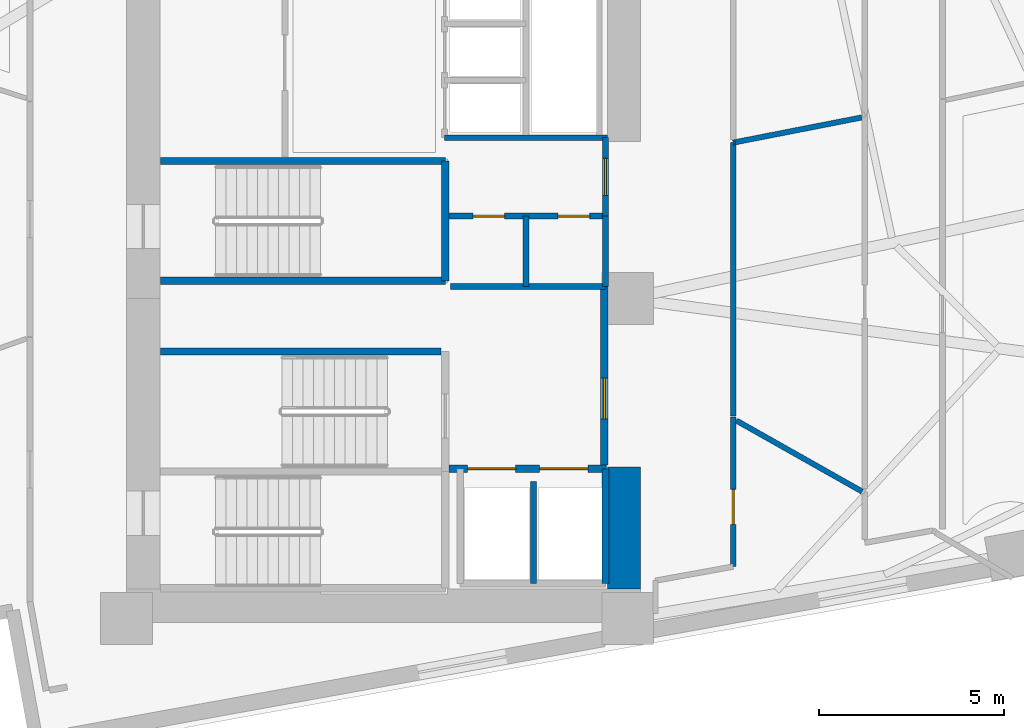
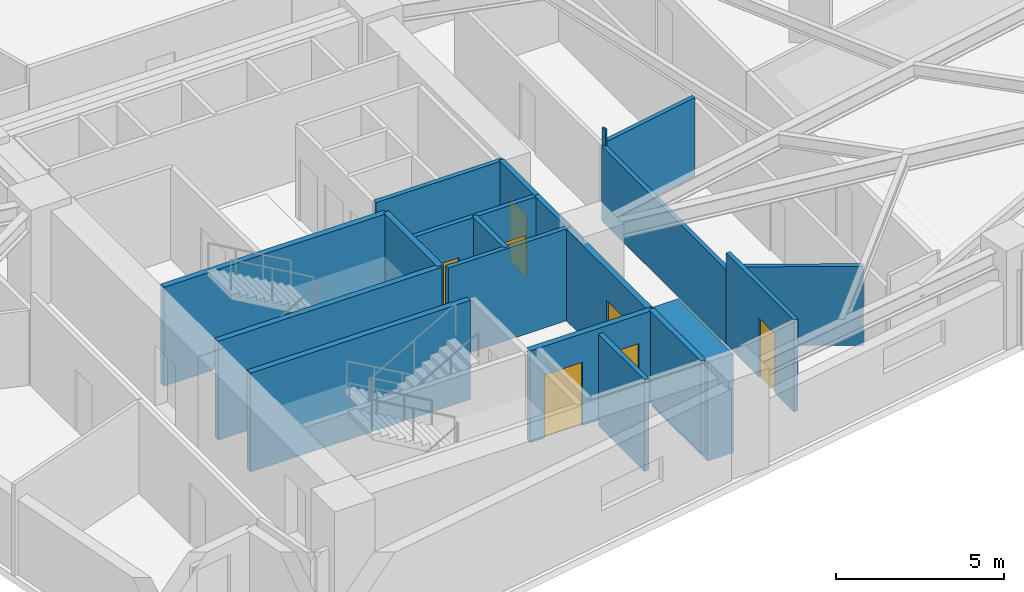
# One storey, part 13 of 18: 20 walls, 7 doors, 7 openings.
"""IFC4 building model written with IfcOpenShell, lengths in metres."""

from ifc_helpers import new_model, si_unit, direction, frame, frame_2d, origin, place, context, subcontext, project, spatial, rectangle, extrude, material, layer, layer_set, type_object, element, fill, save


model = new_model("IFC4")

# Units and contexts
model_context = context("Model", 3, precision=1e-05, world=origin(), true_north=direction((0.0, 1.0)))
body_context = subcontext(model_context, "Body", "Model", "MODEL_VIEW")
ifc_project = project(units=[si_unit("LENGTHUNIT", "METRE"), si_unit("AREAUNIT", "SQUARE_METRE"), si_unit("VOLUMEUNIT", "CUBIC_METRE"), si_unit("PLANEANGLEUNIT", "RADIAN"), si_unit("MASSUNIT", "GRAM", prefix="KILO")], contexts=[model_context])

# Site, building, storey
site_placement = place(None, origin())
site = spatial("IfcSite", under=ifc_project, at=site_placement, CompositionType="ELEMENT")
building_placement = place(site_placement, origin())
building = spatial("IfcBuilding", under=site, at=building_placement, Name="Narakoshi Arena Tower", CompositionType="ELEMENT")
storey_placement = place(building_placement, frame((0.0, 0.0, 110.10009765625)))
storey = spatial("IfcBuildingStorey", under=building, at=storey_placement, Name="L29", CompositionType="ELEMENT", Elevation=110.10009765625)

# Wall
ifc_material_1 = material(Name="Concrete C60/75", Category="concrete")
ifc_layer_1 = layer(ifc_material_1, 0.89990234375)
ifc_layer_set_1 = layer_set([ifc_layer_1], Name="Concrete C60/75")
wall_type_1 = type_object("IfcWallType", Name="WL-CORE-900", PredefinedType="SHEAR", material=ifc_layer_set_1)
wall_1_placement = place(storey_placement, frame((85.449951171875, 35.5, -0.260009765625), z_axis=(0.0, 0.0, 1.0), x_axis=(0.0, 1.0, 0.0)))
element("IfcWall", 1, at=wall_1_placement, inside=storey, type_object=wall_type_1, Name="L29 Central Core Shear Wall CW-APX-E", PredefinedType="SHEAR", context=body_context, shape_type="SweptSolid", body=[
    extrude(rectangle(XDim=3.300048828125, YDim=0.89990234375, at=frame_2d((1.64990234375, 0.0))), origin(), (0.0, 0.0, 1.0), 3.599853515625),
])

# Wall, opening, door
ifc_material_2 = material(Name="Gypsum plasterboard fire-rated partition")
ifc_layer_2 = layer(ifc_material_2, 0.1650390625)
ifc_layer_set_2 = layer_set([ifc_layer_2], Name="Gypsum plasterboard fire-rated partition")
wall_type_2 = type_object("IfcWallType", Name="WL-CORR-165", PredefinedType="PARTITIONING", material=ifc_layer_set_2)
wall_2_placement = place(storey_placement, frame((84.949951171875, 45.580078125, 0.0), z_axis=(0.0, 0.0, 1.0), x_axis=(0.0, 1.0, 0.0)))
wall_2 = element("IfcWall", 2, at=wall_2_placement, inside=storey, type_object=wall_type_2, Name="L29 Core Wall CPAS-E", PredefinedType="PARTITIONING", context=body_context, shape_type="SweptSolid", body=[
    extrude(rectangle(XDim=2.119873046875, YDim=0.1650390625, at=frame_2d((1.06005859375, 0.0))), origin(), (0.0, 0.0, 1.0), 3.33984375),
])
opening_1_placement = place(wall_2_placement, frame((0.56005859375, 0.0, 0.0)))
opening_1 = element("IfcOpeningElement", 3, at=opening_1_placement, cuts=wall_2, Name="Opening D-06", PredefinedType="OPENING", context=body_context, shape_type="SweptSolid", body=[
    extrude(rectangle(XDim=1.0, YDim=2.199951171875, at=frame_2d((0.5, 1.10009765625))), frame((0.0, 0.092529296875, 0.0), z_axis=(0.0, -1.0, 0.0), x_axis=(1.0, 0.0, 0.0)), (0.0, 0.0, 1.0), 0.18505859375),
])
ifc_material_3 = material(Name="Stained oak solid-core timber", Category="wood")
door_type_1 = type_object("IfcDoorType", Name="DR-OFF-1000", OperationType="NOTDEFINED", PredefinedType="DOOR", material=ifc_material_3)
door_1_placement = place(opening_1_placement, frame((1.0, 0.0, 0.0), z_axis=(0.0, 0.0, 1.0), x_axis=(-1.0, 0.0, 0.0)))
door_1 = element("IfcDoor", 4, at=door_1_placement, inside=storey, type_object=door_type_1, Name="DR-L29-007", OperationType="SINGLE_SWING_LEFT", OverallHeight=2.199951171875, OverallWidth=1.0, PredefinedType="DOOR", context=body_context, shape_type="SweptSolid", body=[
    extrude(rectangle(XDim=1.0, YDim=2.199951171875, at=frame_2d((0.5, 1.10009765625))), frame((0.0, 0.02490234375, 0.0), z_axis=(0.0, -1.0, 0.0), x_axis=(1.0, 0.0, 0.0)), (0.0, 0.0, 1.0), 0.050048828125),
])
fill(opening_1, door_1)

# Walls
ifc_material_4 = material(Name="Concrete C40/50", Category="concrete")
ifc_layer_3 = layer(ifc_material_4, 0.280029296875)
ifc_layer_set_3 = layer_set([ifc_layer_3], Name="Concrete C40/50")
wall_type_3 = type_object("IfcWallType", Name="WL-RISER-280", PredefinedType="PLUMBINGWALL", material=ifc_layer_set_3)
wall_3_placement = place(storey_placement, frame((83.0, 35.64990234375, 0.0), z_axis=(0.0, 0.0, 1.0), x_axis=(0.0, 1.0, 0.0)))
element("IfcWall", 5, at=wall_3_placement, inside=storey, type_object=wall_type_3, Name="L29 Core Wall FF-DIV", PredefinedType="PLUMBINGWALL", context=body_context, shape_type="SweptSolid", body=[
    extrude(rectangle(XDim=2.75, YDim=0.159912109375, at=frame_2d((1.375, 0.0))), origin(), (0.0, 0.0, 1.0), 3.33984375),
])
wall_4_placement = place(storey_placement, frame((84.949951171875, 43.679931640625, 0.0), z_axis=(0.0, 0.0, 1.0), x_axis=(0.0, 1.0, 0.0)))
element("IfcWall", 6, at=wall_4_placement, inside=storey, type_object=wall_type_3, Name="L29 Core Wall RSR-E", PredefinedType="PLUMBINGWALL", context=body_context, shape_type="SweptSolid", body=[
    extrude(rectangle(XDim=1.900146484375, YDim=0.1650390625, at=frame_2d((0.9501953125, 0.0))), origin(), (0.0, 0.0, 1.0), 3.33984375),
])

# Wall, openings, doors
wall_5_placement = place(storey_placement, frame((80.719970703125, 45.580078125, 0.0), z_axis=(0.0, 0.0, 1.0), x_axis=(1.0, 0.0, 0.0)))
wall_5 = element("IfcWall", 7, at=wall_5_placement, inside=storey, type_object=wall_type_3, Name="L29 Core Wall RSR-N", PredefinedType="PLUMBINGWALL", context=body_context, shape_type="SweptSolid", body=[
    extrude(rectangle(XDim=4.22998046875, YDim=0.159912109375, at=frame_2d((2.114990234375, 0.0))), origin(), (0.0, 0.0, 1.0), 3.33984375),
])
opening_2_placement = place(wall_5_placement, frame((0.64990234375, 0.0, 0.0)))
opening_2 = element("IfcOpeningElement", 8, at=opening_2_placement, cuts=wall_5, Name="Opening D-10", PredefinedType="OPENING", context=body_context, shape_type="SweptSolid", body=[
    extrude(rectangle(XDim=0.85009765625, YDim=2.050048828125, at=frame_2d((0.425048828125, 1.02490234375))), frame((0.0, 0.08984375, 0.0), z_axis=(0.0, -1.0, 0.0), x_axis=(1.0, 0.0, 0.0)), (0.0, 0.0, 1.0), 0.179931640625),
])
opening_3_placement = place(wall_5_placement, frame((2.949951171875, 0.0, 0.0)))
opening_3 = element("IfcOpeningElement", 9, at=opening_3_placement, cuts=wall_5, Name="Opening D-10", PredefinedType="OPENING", context=body_context, shape_type="SweptSolid", body=[
    extrude(rectangle(XDim=0.85009765625, YDim=2.050048828125, at=frame_2d((0.425048828125, 1.02490234375))), frame((0.0, 0.08984375, 0.0), z_axis=(0.0, -1.0, 0.0), x_axis=(1.0, 0.0, 0.0)), (0.0, 0.0, 1.0), 0.179931640625),
])
ifc_material_5 = material(Name="Painted galvanized steel", Category="steel")
door_type_2 = type_object("IfcDoorType", Name="DR-RSR-850", OperationType="NOTDEFINED", PredefinedType="DOOR", material=ifc_material_5)
door_2_placement = place(opening_2_placement, frame((0.85009765625, 0.0, 0.0), z_axis=(0.0, 0.0, 1.0), x_axis=(-1.0, 0.0, 0.0)))
door_2 = element("IfcDoor", 10, at=door_2_placement, inside=storey, type_object=door_type_2, Name="DR-L29-008", OperationType="SINGLE_SWING_LEFT", OverallHeight=2.050048828125, OverallWidth=0.85009765625, PredefinedType="DOOR", context=body_context, shape_type="SweptSolid", body=[
    extrude(rectangle(XDim=0.85009765625, YDim=2.050048828125, at=frame_2d((0.425048828125, 1.02490234375))), frame((0.0, 0.02490234375, 0.0), z_axis=(0.0, -1.0, 0.0), x_axis=(1.0, 0.0, 0.0)), (0.0, 0.0, 1.0), 0.050048828125),
])
fill(opening_2, door_2)
door_3_placement = place(opening_3_placement, frame((0.85009765625, 0.0, 0.0), z_axis=(0.0, 0.0, 1.0), x_axis=(-1.0, 0.0, 0.0)))
door_3 = element("IfcDoor", 11, at=door_3_placement, inside=storey, type_object=door_type_2, Name="DR-L29-009", OperationType="SINGLE_SWING_RIGHT", OverallHeight=2.050048828125, OverallWidth=0.85009765625, PredefinedType="DOOR", context=body_context, shape_type="SweptSolid", body=[
    extrude(rectangle(XDim=0.85009765625, YDim=2.050048828125, at=frame_2d((0.425048828125, 1.02490234375))), frame((0.0, 0.02490234375, 0.0), z_axis=(0.0, -1.0, 0.0), x_axis=(1.0, 0.0, 0.0)), (0.0, 0.0, 1.0), 0.050048828125),
])
fill(opening_3, door_3)

# Walls
wall_6_placement = place(storey_placement, frame((80.760009765625, 43.679931640625, 0.0), z_axis=(0.0, 0.0, 1.0), x_axis=(1.0, 0.0, 0.0)))
element("IfcWall", 12, at=wall_6_placement, inside=storey, type_object=wall_type_3, Name="L29 Core Wall RSR-S", PredefinedType="PLUMBINGWALL", context=body_context, shape_type="SweptSolid", body=[
    extrude(rectangle(XDim=4.18994140625, YDim=0.159912109375, at=frame_2d((2.094970703125, 0.0))), origin(), (0.0, 0.0, 1.0), 3.33984375),
])
wall_7_placement = place(storey_placement, frame((82.800048828125, 43.679931640625, 0.0), z_axis=(0.0, 0.0, 1.0), x_axis=(0.0, 1.0, 0.0)))
element("IfcWall", 13, at=wall_7_placement, inside=storey, type_object=wall_type_3, Name="L29 Core Wall RSR-M", PredefinedType="PLUMBINGWALL", context=body_context, shape_type="SweptSolid", body=[
    extrude(rectangle(XDim=1.900146484375, YDim=0.159912109375, at=frame_2d((0.9501953125, 0.0))), origin(), (0.0, 0.0, 1.0), 3.33984375),
])

# Wall, openings, doors
ifc_material_6 = material(Name="Concrete C50/60", Category="concrete")
ifc_layer_4 = layer(ifc_material_6, 0.35009765625)
ifc_layer_set_4 = layer_set([ifc_layer_4], Name="Concrete C50/60")
wall_type_4 = type_object("IfcWallType", Name="WL-SHAFT-350", PredefinedType="SOLIDWALL", material=ifc_layer_set_4)
wall_8_placement = place(storey_placement, frame((80.719970703125, 38.75, 0.0), z_axis=(0.0, 0.0, 1.0), x_axis=(1.0, 0.0, 0.0)))
wall_8 = element("IfcWall", 14, at=wall_8_placement, inside=storey, type_object=wall_type_4, Name="L29 Core Wall FF-N", PredefinedType="SOLIDWALL", context=body_context, shape_type="SweptSolid", body=[
    extrude(rectangle(XDim=4.260009765625, YDim=0.199951171875, at=frame_2d((2.1298828125, 0.0))), origin(), (0.0, 0.0, 1.0), 3.33984375),
])
opening_4_placement = place(wall_8_placement, frame((0.5, 0.0, 0.0)))
opening_4 = element("IfcOpeningElement", 15, at=opening_4_placement, cuts=wall_8, Name="Opening LD-02", PredefinedType="OPENING", context=body_context, shape_type="SweptSolid", body=[
    extrude(rectangle(XDim=1.300048828125, YDim=2.300048828125, at=frame_2d((0.64990234375, 1.14990234375))), frame((0.0, 0.10986328125, 0.0), z_axis=(0.0, -1.0, 0.0), x_axis=(1.0, 0.0, 0.0)), (0.0, 0.0, 1.0), 0.219970703125),
])
opening_5_placement = place(wall_8_placement, frame((2.449951171875, 0.0, 0.0)))
opening_5 = element("IfcOpeningElement", 16, at=opening_5_placement, cuts=wall_8, Name="Opening LD-02", PredefinedType="OPENING", context=body_context, shape_type="SweptSolid", body=[
    extrude(rectangle(XDim=1.300048828125, YDim=2.300048828125, at=frame_2d((0.64990234375, 1.14990234375))), frame((0.0, 0.10986328125, 0.0), z_axis=(0.0, -1.0, 0.0), x_axis=(1.0, 0.0, 0.0)), (0.0, 0.0, 1.0), 0.219970703125),
])
ifc_material_7 = material(Name="Brushed bronze stainless steel", Category="steel")
door_type_3 = type_object("IfcDoorType", Name="DR-LFT-1300", OperationType="DOUBLE_DOOR_SLIDING", PredefinedType="DOOR", material=ifc_material_7)
door_4_placement = place(opening_4_placement, origin())
door_4 = element("IfcDoor", 17, at=door_4_placement, inside=storey, type_object=door_type_3, Name="DR-L29-003", OperationType="DOUBLE_DOOR_SLIDING", OverallHeight=2.300048828125, OverallWidth=1.300048828125, PredefinedType="DOOR", context=body_context, shape_type="SweptSolid", body=[
    extrude(rectangle(XDim=1.300048828125, YDim=2.300048828125, at=frame_2d((0.64990234375, 1.14990234375))), frame((0.0, 0.02490234375, 0.0), z_axis=(0.0, -1.0, 0.0), x_axis=(1.0, 0.0, 0.0)), (0.0, 0.0, 1.0), 0.050048828125),
])
fill(opening_4, door_4)
door_5_placement = place(opening_5_placement, origin())
door_5 = element("IfcDoor", 18, at=door_5_placement, inside=storey, type_object=door_type_3, Name="DR-L29-004", OperationType="DOUBLE_DOOR_SLIDING", OverallHeight=2.300048828125, OverallWidth=1.300048828125, PredefinedType="DOOR", context=body_context, shape_type="SweptSolid", body=[
    extrude(rectangle(XDim=1.300048828125, YDim=2.300048828125, at=frame_2d((0.64990234375, 1.14990234375))), frame((0.0, 0.02490234375, 0.0), z_axis=(0.0, -1.0, 0.0), x_axis=(1.0, 0.0, 0.0)), (0.0, 0.0, 1.0), 0.050048828125),
])
fill(opening_5, door_5)

# Wall
wall_9_placement = place(storey_placement, frame((84.949951171875, 35.64990234375, 0.0), z_axis=(0.0, 0.0, 1.0), x_axis=(0.0, 1.0, 0.0)))
element("IfcWall", 19, at=wall_9_placement, inside=storey, type_object=wall_type_4, Name="L29 Core Wall FF-E", PredefinedType="SOLIDWALL", context=body_context, shape_type="SweptSolid", body=[
    extrude(rectangle(XDim=3.10009765625, YDim=0.179931640625, at=frame_2d((1.550048828125, 0.0))), origin(), (0.0, 0.0, 1.0), 3.33984375),
])

# Wall, opening, door
wall_10_placement = place(storey_placement, frame((84.919921875, 38.85009765625, 0.0), z_axis=(0.0, 0.0, 1.0), x_axis=(0.0, 1.0, 0.0)))
wall_10 = element("IfcWall", 20, at=wall_10_placement, inside=storey, type_object=wall_type_4, Name="L29 Core Wall FFLOB-E", PredefinedType="SOLIDWALL", context=body_context, shape_type="SweptSolid", body=[
    extrude(rectangle(XDim=4.829833984375, YDim=0.199951171875, at=frame_2d((2.4150390625, 0.0))), origin(), (0.0, 0.0, 1.0), 3.33984375),
])
opening_6_placement = place(wall_10_placement, frame((1.25, 0.0, 0.0)))
opening_6 = element("IfcOpeningElement", 21, at=opening_6_placement, cuts=wall_10, Name="Opening D-04", PredefinedType="OPENING", context=body_context, shape_type="SweptSolid", body=[
    extrude(rectangle(XDim=1.10009765625, YDim=2.199951171875, at=frame_2d((0.550048828125, 1.10009765625))), frame((0.0, 0.10986328125, 0.0), z_axis=(0.0, -1.0, 0.0), x_axis=(1.0, 0.0, 0.0)), (0.0, 0.0, 1.0), 0.219970703125),
])
door_type_4 = type_object("IfcDoorType", Name="DR-FFL-1100", OperationType="NOTDEFINED", PredefinedType="DOOR", material=ifc_material_5)
door_6_placement = place(opening_6_placement, frame((1.10009765625, 0.0, 0.0), z_axis=(0.0, 0.0, 1.0), x_axis=(-1.0, 0.0, 0.0)))
door_6 = element("IfcDoor", 22, at=door_6_placement, inside=storey, type_object=door_type_4, Name="DR-L29-005", OperationType="SINGLE_SWING_RIGHT", OverallHeight=2.199951171875, OverallWidth=1.10009765625, PredefinedType="DOOR", context=body_context, shape_type="SweptSolid", body=[
    extrude(rectangle(XDim=1.10009765625, YDim=2.199951171875, at=frame_2d((0.550048828125, 1.10009765625))), frame((0.0, 0.02490234375, 0.0), z_axis=(0.0, -1.0, 0.0), x_axis=(1.0, 0.0, 0.0)), (0.0, 0.0, 1.0), 0.050048828125),
])
fill(opening_6, door_6)

# Walls
wall_11_placement = place(storey_placement, frame((72.919921875, 41.919921875, -0.260009765625), z_axis=(0.0, 0.0, 1.0), x_axis=(1.0, 0.0, 0.0)))
element("IfcWall", 23, at=wall_11_placement, inside=storey, type_object=wall_type_4, Name="L29 Core Wall ST2-N", PredefinedType="SOLIDWALL", context=body_context, shape_type="SweptSolid", body=[
    extrude(rectangle(XDim=7.580078125, YDim=0.199951171875, at=frame_2d((3.7900390625, 0.0))), origin(), (0.0, 0.0, 1.0), 3.599853515625),
])
for number, where, z_axis, x_axis, name in (
    (24, (72.919921875, 43.830078125, -0.260009765625), (0.0, 0.0, 1.0), (1.0, 0.0, 0.0), "L29 Core Wall ST3-S"),
    (25, (72.919921875, 47.070068359375, -0.260009765625), (0.0, 0.0, 1.0), (1.0, 0.0, 0.0), "L29 Core Wall ST3-N"),
):
    element("IfcWall", number, at=place(storey_placement, frame(where, z_axis=z_axis, x_axis=x_axis)), inside=storey, type_object=wall_type_4, Name=name, PredefinedType="SOLIDWALL", context=body_context, shape_type="SweptSolid", body=[
        extrude(rectangle(XDim=7.7001953125, YDim=0.199951171875, at=frame_2d((3.85009765625, 0.0))), origin(), (0.0, 0.0, 1.0), 3.599853515625),
    ])
wall_12_placement = place(storey_placement, frame((80.6201171875, 43.830078125, -0.260009765625), z_axis=(0.0, 0.0, 1.0), x_axis=(0.0, 1.0, 0.0)))
element("IfcWall", 26, at=wall_12_placement, inside=storey, type_object=wall_type_4, Name="L29 Core Wall ST3-E", PredefinedType="SOLIDWALL", context=body_context, shape_type="SweptSolid", body=[
    extrude(rectangle(XDim=3.239990234375, YDim=0.199951171875, at=frame_2d((1.6201171875, 0.0))), origin(), (0.0, 0.0, 1.0), 3.599853515625),
])
wall_13_placement = place(storey_placement, frame((80.60009765625, 47.699951171875, 0.0), z_axis=(0.0, 0.0, 1.0), x_axis=(1.0, 0.0, 0.0)))
element("IfcWall", 27, at=wall_13_placement, inside=storey, type_object=wall_type_4, Name="L29 Core Wall MR-S", PredefinedType="SOLIDWALL", context=body_context, shape_type="SweptSolid", body=[
    extrude(rectangle(XDim=4.39990234375, YDim=0.159912109375, at=frame_2d((2.199951171875, 0.0))), origin(), (0.0, 0.0, 1.0), 3.33984375),
])

# Wall, opening, door
ifc_material_8 = material(Name="Moisture-resistant cement-board partition")
ifc_layer_5 = layer(ifc_material_8, 0.14501953125)
ifc_layer_set_5 = layer_set([ifc_layer_5], Name="Moisture-resistant cement-board partition")
wall_type_5 = type_object("IfcWallType", Name="WL-WET-145", PredefinedType="PARTITIONING", material=ifc_layer_set_5)
wall_14_placement = place(storey_placement, frame((88.39990234375, 36.10400390625, 0.0), z_axis=(0.0, 0.0, 1.0), x_axis=(0.0, 1.0, 0.0)))
wall_14 = element("IfcWall", 28, at=wall_14_placement, inside=storey, type_object=wall_type_5, Name="L29 Corridor Partition 02-1", PredefinedType="PARTITIONING", context=body_context, shape_type="SweptSolid", body=[
    extrude(rectangle(XDim=4.039794921875, YDim=0.14501953125, at=frame_2d((2.02001953125, 0.0))), origin(), (0.0, 0.0, 1.0), 3.33984375),
])
opening_7_placement = place(wall_14_placement, frame((1.141357421875, 0.0, 0.0)))
opening_7 = element("IfcOpeningElement", 29, at=opening_7_placement, cuts=wall_14, Name="Opening D-07", PredefinedType="OPENING", context=body_context, shape_type="SweptSolid", body=[
    extrude(rectangle(XDim=0.949951171875, YDim=2.14990234375, at=frame_2d((0.47509765625, 1.074951171875))), frame((0.0, 0.08251953125, 0.0), z_axis=(0.0, -1.0, 0.0), x_axis=(1.0, 0.0, 0.0)), (0.0, 0.0, 1.0), 0.1650390625),
])
door_type_5 = type_object("IfcDoorType", Name="DR-ACC-950", OperationType="NOTDEFINED", PredefinedType="DOOR", material=ifc_material_3)
door_7_placement = place(opening_7_placement, frame((0.949951171875, 0.0, 0.0), z_axis=(0.0, 0.0, 1.0), x_axis=(-1.0, 0.0, 0.0)))
door_7 = element("IfcDoor", 30, at=door_7_placement, inside=storey, type_object=door_type_5, Name="DR-L29-015", OperationType="SINGLE_SWING_RIGHT", OverallHeight=2.14990234375, OverallWidth=0.949951171875, PredefinedType="DOOR", context=body_context, shape_type="SweptSolid", body=[
    extrude(rectangle(XDim=0.949951171875, YDim=2.14990234375, at=frame_2d((0.47509765625, 1.074951171875))), frame((0.0, 0.02490234375, 0.0), z_axis=(0.0, -1.0, 0.0), x_axis=(1.0, 0.0, 0.0)), (0.0, 0.0, 1.0), 0.050048828125),
])
fill(opening_7, door_7)

# Walls
wall_15_placement = place(storey_placement, frame((88.484619140625, 40.0546875, 0.0), z_axis=(0.0, 0.0, 1.0), x_axis=(0.870841997386, -0.49156303318, 0.0)))
element("IfcWall", 31, at=wall_15_placement, inside=storey, type_object=wall_type_5, Name="L29 Inter-Room Partition 02-03", PredefinedType="PARTITIONING", context=body_context, shape_type="SweptSolid", body=[
    extrude(rectangle(XDim=3.9072265625, YDim=0.14501953125, at=frame_2d((1.95361328125, 0.0))), origin(), (0.0, 0.0, 1.0), 2.875),
])
wall_16_placement = place(storey_placement, frame((88.39990234375, 40.17138671875, 0.0), z_axis=(0.0, 0.0, 1.0), x_axis=(0.0, 1.0, 0.0)))
element("IfcWall", 32, at=wall_16_placement, inside=storey, type_object=wall_type_5, Name="L29 Corridor Partition 03-2", PredefinedType="PARTITIONING", context=body_context, shape_type="SweptSolid", body=[
    extrude(rectangle(XDim=7.395751953125, YDim=0.14501953125, at=frame_2d((3.69775390625, 0.0))), origin(), (0.0, 0.0, 1.0), 2.724853515625),
])
wall_17_placement = place(storey_placement, frame((88.39990234375, 47.567138671875, 0.0), z_axis=(0.0, 0.0, 1.0), x_axis=(0.979963027805, 0.199179477196, 0.0)))
element("IfcWall", 33, at=wall_17_placement, inside=storey, type_object=wall_type_5, Name="L29 Corridor Partition 03-3", PredefinedType="PARTITIONING", context=body_context, shape_type="SweptSolid", body=[
    extrude(rectangle(XDim=0.061279296875, YDim=0.14501953125, at=frame_2d((0.03076171875, 0.0))), origin(), (0.0, 0.0, 1.0), 3.33984375),
])
wall_18_placement = place(storey_placement, frame((88.460205078125, 47.578857421875, 0.0), z_axis=(0.0, 0.0, 1.0), x_axis=(0.981352415041, 0.192217162329, 0.0)))
element("IfcWall", 34, at=wall_18_placement, inside=storey, type_object=wall_type_5, Name="L29 Inter-Room Partition 03-06", PredefinedType="PARTITIONING", context=body_context, shape_type="SweptSolid", body=[
    extrude(rectangle(XDim=3.4814453125, YDim=0.14501953125, at=frame_2d((1.74072265625, 0.0))), origin(), (0.0, 0.0, 1.0), 2.875),
])

save(model, "model.ifc")
